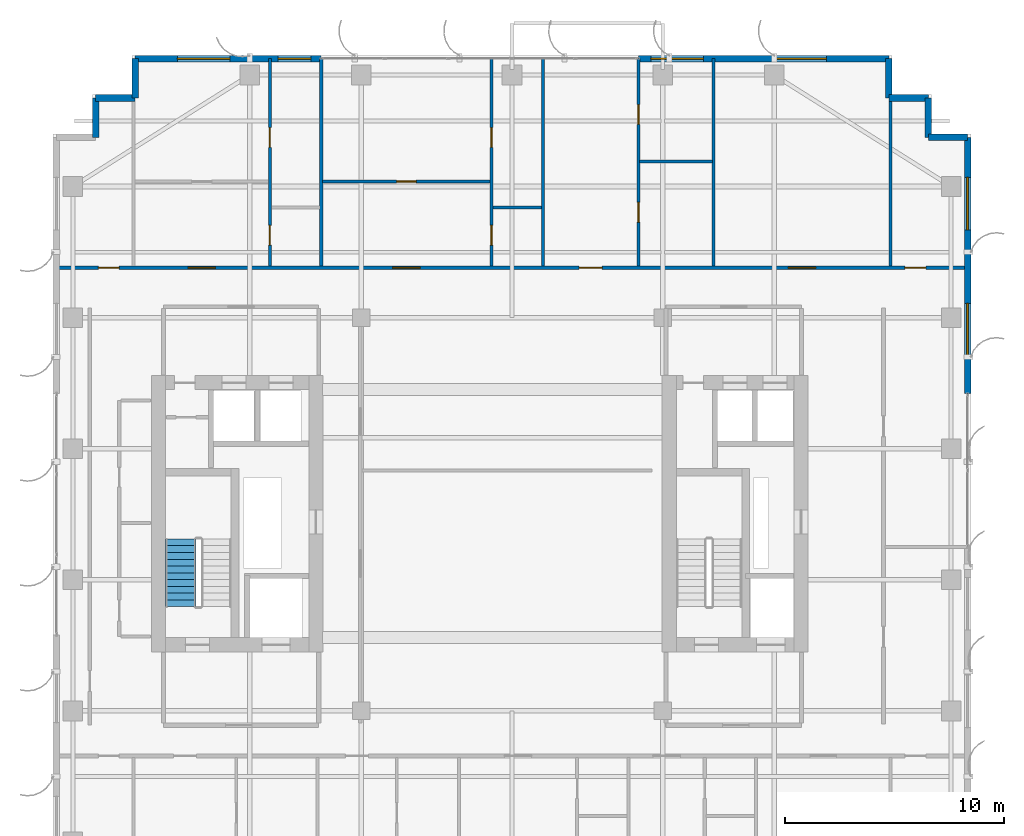
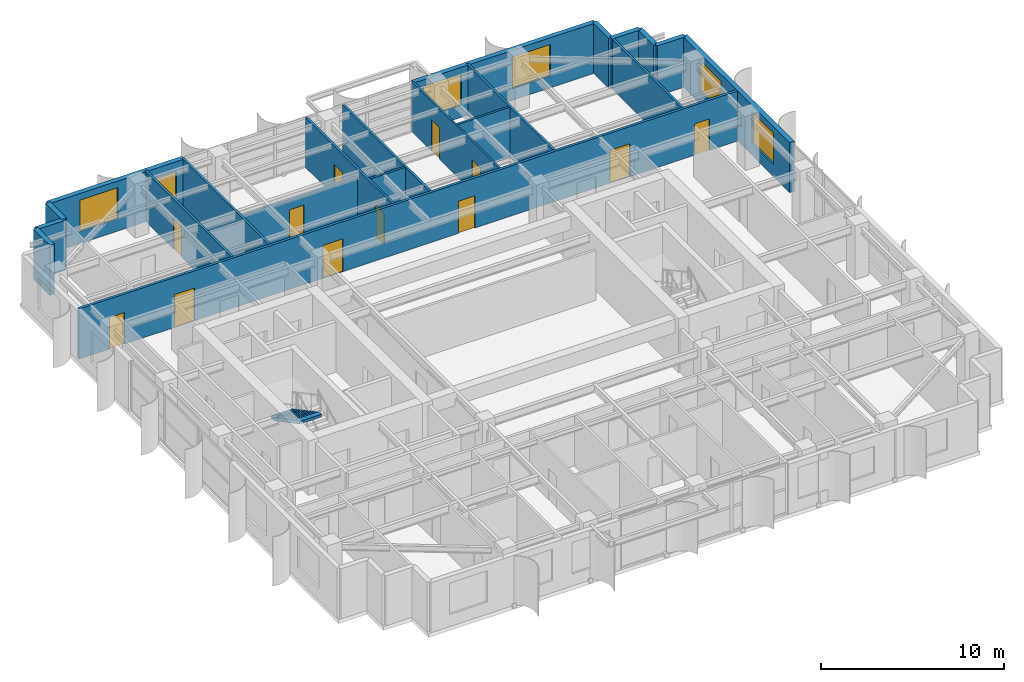
# One storey, part 19 of 23: 21 walls, 13 doors, 6 windows, 1 stair flight, 19 openings, 1 element without a shape of its own.
"""IFC4 building model written with IfcOpenShell, lengths in metres."""

from ifc_helpers import new_model, si_unit, direction, frame, frame_2d, origin, place, context, subcontext, project, spatial, polyline, rectangle, outline, extrude, source, transform, mapped, material, layer, layer_set, type_object, element, fill, aggregate, save


model = new_model("IFC4")

# Units and contexts
model_context = context("Model", 3, precision=1e-05, world=origin(), true_north=direction((0.0, 1.0)))
body_context = subcontext(model_context, "Body", "Model", "MODEL_VIEW")
ifc_project = project(units=[si_unit("LENGTHUNIT", "METRE"), si_unit("AREAUNIT", "SQUARE_METRE"), si_unit("VOLUMEUNIT", "CUBIC_METRE"), si_unit("PLANEANGLEUNIT", "RADIAN"), si_unit("MASSUNIT", "GRAM", prefix="KILO")], contexts=[model_context])

# Site, building, storey
site_placement = place(None, origin())
site = spatial("IfcSite", under=ifc_project, at=site_placement, CompositionType="ELEMENT")
building_placement = place(site_placement, origin())
building = spatial("IfcBuilding", under=site, at=building_placement, Name="Khoralis Quay Care Tower", CompositionType="ELEMENT")
storey_placement = place(building_placement, frame((0.0, 0.0, 173.699951171875)))
storey = spatial("IfcBuildingStorey", under=building, at=storey_placement, Name="L45", CompositionType="ELEMENT", Elevation=173.699951171875)

# Wall, openings, doors
ifc_material_1 = material(Name="Gypsum plasterboard on acoustic metal stud")
ifc_layer_1 = layer(ifc_material_1, 0.1650390625)
ifc_layer_set_1 = layer_set([ifc_layer_1], Name="Gypsum plasterboard on acoustic metal stud")
wall_type_1 = type_object("IfcWallType", Name="WL-CORR-165", PredefinedType="PARTITIONING", material=ifc_layer_set_1)
wall_1_placement = place(storey_placement, frame((3.14501953125, 32.280029296875, 0.0), z_axis=(0.0, 0.0, 1.0), x_axis=(1.0, 0.0, 0.0)))
wall_1 = element("IfcWall", 1, at=wall_1_placement, inside=storey, type_object=wall_type_1, Name="L45 North Main Corridor Wall", PredefinedType="PARTITIONING", context=body_context, shape_type="SweptSolid", body=[
    extrude(rectangle(XDim=41.7099609375, YDim=0.1650390625, at=frame_2d((20.85498046875, 0.0))), origin(), (0.0, 0.0, 1.0), 3.340087890625),
])
opening_1_placement = place(wall_1_placement, frame((6.030029296875, 0.0, 0.0)))
opening_1 = element("IfcOpeningElement", 2, at=opening_1_placement, cuts=wall_1, Name="Opening CD1", PredefinedType="OPENING", context=body_context, shape_type="SweptSolid", body=[
    extrude(rectangle(XDim=1.25, YDim=2.199951171875, at=frame_2d((0.625, 1.10009765625))), frame((0.0, 0.092529296875, 0.0), z_axis=(0.0, -1.0, 0.0), x_axis=(1.0, 0.0, 0.0)), (0.0, 0.0, 1.0), 0.18505859375),
])
opening_2_placement = place(wall_1_placement, frame((15.39501953125, 0.0, 0.0)))
opening_2 = element("IfcOpeningElement", 3, at=opening_2_placement, cuts=wall_1, Name="Opening CD1", PredefinedType="OPENING", context=body_context, shape_type="SweptSolid", body=[
    extrude(rectangle(XDim=1.25, YDim=2.199951171875, at=frame_2d((0.625, 1.10009765625))), frame((0.0, 0.092529296875, 0.0), z_axis=(0.0, -1.0, 0.0), x_axis=(1.0, 0.0, 0.0)), (0.0, 0.0, 1.0), 0.18505859375),
])
opening_3_placement = place(wall_1_placement, frame((23.929443359375, 0.0, 0.0)))
opening_3 = element("IfcOpeningElement", 4, at=opening_3_placement, cuts=wall_1, Name="Opening UD1", PredefinedType="OPENING", context=body_context, shape_type="SweptSolid", body=[
    extrude(rectangle(XDim=1.050048828125, YDim=2.14990234375, at=frame_2d((0.52490234375, 1.074951171875))), frame((0.0, 0.092529296875, 0.0), z_axis=(0.0, -1.0, 0.0), x_axis=(1.0, 0.0, 0.0)), (0.0, 0.0, 1.0), 0.18505859375),
])
opening_4_placement = place(wall_1_placement, frame((33.5048828125, 0.0, 0.0)))
opening_4 = element("IfcOpeningElement", 5, at=opening_4_placement, cuts=wall_1, Name="Opening CD1", PredefinedType="OPENING", context=body_context, shape_type="SweptSolid", body=[
    extrude(rectangle(XDim=1.25, YDim=2.199951171875, at=frame_2d((0.625, 1.10009765625))), frame((0.0, 0.092529296875, 0.0), z_axis=(0.0, -1.0, 0.0), x_axis=(1.0, 0.0, 0.0)), (0.0, 0.0, 1.0), 0.18505859375),
])
opening_5_placement = place(wall_1_placement, frame((1.919921875, 0.0, 0.0)))
opening_5 = element("IfcOpeningElement", 6, at=opening_5_placement, cuts=wall_1, Name="Opening ID1", PredefinedType="OPENING", context=body_context, shape_type="SweptSolid", body=[
    extrude(rectangle(XDim=0.949951171875, YDim=2.10009765625, at=frame_2d((0.47509765625, 1.050048828125))), frame((0.0, 0.092529296875, 0.0), z_axis=(0.0, -1.0, 0.0), x_axis=(1.0, 0.0, 0.0)), (0.0, 0.0, 1.0), 0.18505859375),
])
opening_6_placement = place(wall_1_placement, frame((38.840087890625, 0.0, 0.0)))
opening_6 = element("IfcOpeningElement", 7, at=opening_6_placement, cuts=wall_1, Name="Opening ID1", PredefinedType="OPENING", context=body_context, shape_type="SweptSolid", body=[
    extrude(rectangle(XDim=0.949951171875, YDim=2.10009765625, at=frame_2d((0.47509765625, 1.050048828125))), frame((0.0, 0.092529296875, 0.0), z_axis=(0.0, -1.0, 0.0), x_axis=(1.0, 0.0, 0.0)), (0.0, 0.0, 1.0), 0.18505859375),
])
ifc_material_2 = material(Name="Acoustic hardwood timber", Category="wood")
door_type_1 = type_object("IfcDoorType", Name="DR-CARE-1250X2200", OperationType="NOTDEFINED", PredefinedType="DOOR", material=ifc_material_2)
shared_shape_1 = source(origin(), body_context, "Body", "SweptSolid", [
    extrude(rectangle(XDim=1.25, YDim=2.199951171875, at=frame_2d((0.625, 1.10009765625))), frame((0.0, 0.02490234375, 0.0), z_axis=(0.0, -1.0, 0.0), x_axis=(1.0, 0.0, 0.0)), (0.0, 0.0, 1.0), 0.050048828125),
])
door_1_placement = place(opening_1_placement, origin())
door_1 = element("IfcDoor", 8, at=door_1_placement, inside=storey, type_object=door_type_1, Name="L45 Care Suite NB0 Clinical Door", OperationType="SINGLE_SWING_LEFT", OverallHeight=2.199951171875, OverallWidth=1.25, PredefinedType="DOOR", context=body_context, shape_type="MappedRepresentation", body=[
    mapped(shared_shape_1, transform((0.0, 0.0, 0.0), scale=1.0)),
])
fill(opening_1, door_1)
door_2_placement = place(opening_2_placement, origin())
door_2 = element("IfcDoor", 9, at=door_2_placement, inside=storey, type_object=door_type_1, Name="L45 Care Suite NB1 Clinical Door", OperationType="SINGLE_SWING_RIGHT", OverallHeight=2.199951171875, OverallWidth=1.25, PredefinedType="DOOR", context=body_context, shape_type="MappedRepresentation", body=[
    mapped(shared_shape_1, transform((0.0, 0.0, 0.0), scale=1.0)),
])
fill(opening_2, door_2)
door_3_placement = place(opening_4_placement, origin())
door_3 = element("IfcDoor", 10, at=door_3_placement, inside=storey, type_object=door_type_1, Name="L45 Physiotherapy Treatment Clinic Door", OperationType="SINGLE_SWING_RIGHT", OverallHeight=2.199951171875, OverallWidth=1.25, PredefinedType="DOOR", context=body_context, shape_type="MappedRepresentation", body=[
    mapped(shared_shape_1, transform((0.0, 0.0, 0.0), scale=1.0)),
])
fill(opening_4, door_3)
door_type_2 = type_object("IfcDoorType", Name="DR-ROOM-950X2100", OperationType="NOTDEFINED", PredefinedType="DOOR", material=ifc_material_2)
shared_shape_2 = source(origin(), body_context, "Body", "SweptSolid", [
    extrude(rectangle(XDim=0.949951171875, YDim=2.10009765625, at=frame_2d((0.47509765625, 1.050048828125))), frame((0.0, 0.02490234375, 0.0), z_axis=(0.0, -1.0, 0.0), x_axis=(1.0, 0.0, 0.0)), (0.0, 0.0, 1.0), 0.050048828125),
])
door_4_placement = place(opening_5_placement, origin())
door_4 = element("IfcDoor", 11, at=door_4_placement, inside=storey, type_object=door_type_2, Name="L45 NW Corner Door", OperationType="SINGLE_SWING_RIGHT", OverallHeight=2.10009765625, OverallWidth=0.949951171875, PredefinedType="DOOR", context=body_context, shape_type="MappedRepresentation", body=[
    mapped(shared_shape_2, transform((0.0, 0.0, 0.0), scale=1.0)),
])
fill(opening_5, door_4)
door_5_placement = place(opening_6_placement, origin())
door_5 = element("IfcDoor", 12, at=door_5_placement, inside=storey, type_object=door_type_2, Name="L45 NE Corner Door", OperationType="SINGLE_SWING_LEFT", OverallHeight=2.10009765625, OverallWidth=0.949951171875, PredefinedType="DOOR", context=body_context, shape_type="MappedRepresentation", body=[
    mapped(shared_shape_2, transform((0.0, 0.0, 0.0), scale=1.0)),
])
fill(opening_6, door_5)
door_type_3 = type_object("IfcDoorType", Name="DR-SUITE-1050X2150", OperationType="NOTDEFINED", PredefinedType="DOOR", material=ifc_material_2)
shared_shape_3 = source(origin(), body_context, "Body", "SweptSolid", [
    extrude(rectangle(XDim=1.050048828125, YDim=2.14990234375, at=frame_2d((0.52490234375, 1.074951171875))), frame((0.0, 0.02490234375, 0.0), z_axis=(0.0, -1.0, 0.0), x_axis=(1.0, 0.0, 0.0)), (0.0, 0.0, 1.0), 0.050048828125),
])
door_6_placement = place(opening_3_placement, origin())
door_6 = element("IfcDoor", 13, at=door_6_placement, inside=storey, type_object=door_type_3, Name="L45 Studio NB2 Entrance", OperationType="SINGLE_SWING_LEFT", OverallHeight=2.14990234375, OverallWidth=1.050048828125, PredefinedType="DOOR", context=body_context, shape_type="MappedRepresentation", body=[
    mapped(shared_shape_3, transform((0.0, 0.0, 0.0), scale=1.0)),
])
fill(opening_3, door_6)

# Wall, openings, windows
ifc_material_3 = material(Name="Precast concrete C45/55", Category="concrete")
ifc_layer_2 = layer(ifc_material_3, 0.300048828125)
ifc_layer_set_2 = layer_set([ifc_layer_2], Name="Precast concrete C45/55")
wall_type_2 = type_object("IfcWallType", Name="WL-EXT-REF-300", PredefinedType="SOLIDWALL", material=ifc_layer_set_2)
wall_2_placement = place(storey_placement, frame((44.85009765625, 26.52001953125, 0.0), z_axis=(0.0, 0.0, 1.0), x_axis=(0.0, 1.0, 0.0)))
wall_2 = element("IfcWall", 14, at=wall_2_placement, inside=storey, type_object=wall_type_2, Name="L45 External Facade Wall WL-EXT-L45-P1-E5B", PredefinedType="SOLIDWALL", context=body_context, shape_type="SweptSolid", body=[
    extrude(rectangle(XDim=11.72998046875, YDim=0.300048828125, at=frame_2d((5.864990234375, 0.0))), origin(), (0.0, 0.0, 1.0), 3.340087890625),
])
opening_7_placement = place(wall_2_placement, frame((1.72998046875, 0.0, 0.800048828125)))
opening_7 = element("IfcOpeningElement", 15, at=opening_7_placement, cuts=wall_2, Name="Opening W1", PredefinedType="OPENING", context=body_context, shape_type="SweptSolid", body=[
    extrude(rectangle(XDim=2.39990234375, YDim=2.10009765625, at=frame_2d((1.199951171875, 1.050048828125))), frame((0.0, 0.16015625, 0.0), z_axis=(0.0, -1.0, 0.0), x_axis=(1.0, 0.0, 0.0)), (0.0, 0.0, 1.0), 0.320068359375),
])
opening_8_placement = place(wall_2_placement, frame((7.4951171875, 0.0, 0.800048828125)))
opening_8 = element("IfcOpeningElement", 16, at=opening_8_placement, cuts=wall_2, Name="Opening W1", PredefinedType="OPENING", context=body_context, shape_type="SweptSolid", body=[
    extrude(rectangle(XDim=2.39990234375, YDim=2.10009765625, at=frame_2d((1.199951171875, 1.050048828125))), frame((0.0, 0.16015625, 0.0), z_axis=(0.0, -1.0, 0.0), x_axis=(1.0, 0.0, 0.0)), (0.0, 0.0, 1.0), 0.320068359375),
])
ifc_material_4 = material(Name="Low-E solar-control double glazing", Category="glass")
window_type_1 = type_object("IfcWindowType", Name="WN-POD-2400X2100", PartitioningType="SINGLE_PANEL", PredefinedType="WINDOW", material=ifc_material_4)
shared_shape_4 = source(origin(), body_context, "Body", "SweptSolid", [
    extrude(rectangle(XDim=2.39990234375, YDim=2.10009765625, at=frame_2d((1.199951171875, 1.050048828125))), frame((0.0, 0.030029296875, 0.0), z_axis=(0.0, -1.0, 0.0), x_axis=(1.0, 0.0, 0.0)), (0.0, 0.0, 1.0), 0.06005859375),
])
window_1_placement = place(opening_7_placement, origin())
window_1 = element("IfcWindow", 17, at=window_1_placement, inside=storey, type_object=window_type_1, Name="WN-L45-P1-E5B Facade Window 01", OverallHeight=2.10009765625, OverallWidth=2.39990234375, PartitioningType="SINGLE_PANEL", PredefinedType="WINDOW", context=body_context, shape_type="MappedRepresentation", body=[
    mapped(shared_shape_4, transform((0.0, 0.0, 0.0), scale=1.0)),
])
fill(opening_7, window_1)
window_2_placement = place(opening_8_placement, origin())
window_2 = element("IfcWindow", 18, at=window_2_placement, inside=storey, type_object=window_type_1, Name="WN-L45-P1-E5B Facade Window 02", OverallHeight=2.10009765625, OverallWidth=2.39990234375, PartitioningType="SINGLE_PANEL", PredefinedType="WINDOW", context=body_context, shape_type="MappedRepresentation", body=[
    mapped(shared_shape_4, transform((0.0, 0.0, 0.0), scale=1.0)),
])
fill(opening_8, window_2)

# Walls
for number, where, z_axis, x_axis, name in (
    (19, (44.85009765625, 38.25, 0.0), (0.0, 0.0, 1.0), (-1.0, 0.0, 0.0), "L45 External Facade Wall WL-EXT-L45-P1-C6"),
    (20, (43.050048828125, 38.25, 0.0), (0.0, 0.0, 1.0), (0.0, 1.0, 0.0), "L45 External Facade Wall WL-EXT-L45-P1-C7"),
    (21, (43.050048828125, 40.050048828125, 0.0), (0.0, 0.0, 1.0), (-1.0, 0.0, 0.0), "L45 External Facade Wall WL-EXT-L45-P1-C8"),
    (22, (41.25, 40.050048828125, 0.0), (0.0, 0.0, 1.0), (0.0, 1.0, 0.0), "L45 External Facade Wall WL-EXT-L45-P1-C9"),
):
    element("IfcWall", number, at=place(storey_placement, frame(where, z_axis=z_axis, x_axis=x_axis)), inside=storey, type_object=wall_type_2, Name=name, PredefinedType="SOLIDWALL", context=body_context, shape_type="SweptSolid", body=[
        extrude(rectangle(XDim=1.800048828125, YDim=0.300048828125, at=frame_2d((0.89990234375, 0.0))), origin(), (0.0, 0.0, 1.0), 3.340087890625),
    ])

# Wall, openings, windows
wall_3_placement = place(storey_placement, frame((41.25, 41.85009765625, 0.0), z_axis=(0.0, 0.0, 1.0), x_axis=(-1.0, 0.0, 0.0)))
wall_3 = element("IfcWall", 23, at=wall_3_placement, inside=storey, type_object=wall_type_2, Name="L45 External Facade Wall WL-EXT-L45-P1-E10A", PredefinedType="SOLIDWALL", context=body_context, shape_type="SweptSolid", body=[
    extrude(rectangle(XDim=11.4609375, YDim=0.300048828125, at=frame_2d((5.73046875, 0.0))), origin(), (0.0, 0.0, 1.0), 3.340087890625),
])
opening_9_placement = place(wall_3_placement, frame((2.860107421875, 0.0, 0.800048828125)))
opening_9 = element("IfcOpeningElement", 24, at=opening_9_placement, cuts=wall_3, Name="Opening W1", PredefinedType="OPENING", context=body_context, shape_type="SweptSolid", body=[
    extrude(rectangle(XDim=2.39990234375, YDim=2.10009765625, at=frame_2d((1.199951171875, 1.050048828125))), frame((0.0, 0.16015625, 0.0), z_axis=(0.0, -1.0, 0.0), x_axis=(1.0, 0.0, 0.0)), (0.0, 0.0, 1.0), 0.320068359375),
])
opening_10_placement = place(wall_3_placement, frame((8.490478515625, 0.0, 0.800048828125)))
opening_10 = element("IfcOpeningElement", 25, at=opening_10_placement, cuts=wall_3, Name="Opening W1", PredefinedType="OPENING", context=body_context, shape_type="SweptSolid", body=[
    extrude(rectangle(XDim=2.39990234375, YDim=2.10009765625, at=frame_2d((1.199951171875, 1.050048828125))), frame((0.0, 0.16015625, 0.0), z_axis=(0.0, -1.0, 0.0), x_axis=(1.0, 0.0, 0.0)), (0.0, 0.0, 1.0), 0.320068359375),
])
window_3_placement = place(opening_9_placement, origin())
window_3 = element("IfcWindow", 26, at=window_3_placement, inside=storey, type_object=window_type_1, Name="WN-L45-P1-E10A Facade Window 01", OverallHeight=2.10009765625, OverallWidth=2.39990234375, PartitioningType="SINGLE_PANEL", PredefinedType="WINDOW", context=body_context, shape_type="MappedRepresentation", body=[
    mapped(shared_shape_4, transform((0.0, 0.0, 0.0), scale=1.0)),
])
fill(opening_9, window_3)
window_4_placement = place(opening_10_placement, origin())
window_4 = element("IfcWindow", 27, at=window_4_placement, inside=storey, type_object=window_type_1, Name="WN-L45-P1-E10A Facade Window 02", OverallHeight=2.10009765625, OverallWidth=2.39990234375, PartitioningType="SINGLE_PANEL", PredefinedType="WINDOW", context=body_context, shape_type="MappedRepresentation", body=[
    mapped(shared_shape_4, transform((0.0, 0.0, 0.0), scale=1.0)),
])
fill(opening_10, window_4)

wall_4_placement = place(storey_placement, frame((15.27001953125, 41.85009765625, 0.0), z_axis=(0.0, 0.0, 1.0), x_axis=(-1.0, 0.0, 0.0)))
wall_4 = element("IfcWall", 28, at=wall_4_placement, inside=storey, type_object=wall_type_2, Name="L45 External Facade Wall WL-EXT-L45-P1-E10B", PredefinedType="SOLIDWALL", context=body_context, shape_type="SweptSolid", body=[
    extrude(rectangle(XDim=8.52001953125, YDim=0.300048828125, at=frame_2d((4.260009765625, 0.0))), origin(), (0.0, 0.0, 1.0), 3.340087890625),
])
opening_11_placement = place(wall_4_placement, frame((0.47509765625, 0.0, 0.85009765625)))
opening_11 = element("IfcOpeningElement", 29, at=opening_11_placement, cuts=wall_4, Name="Opening W3", PredefinedType="OPENING", context=body_context, shape_type="SweptSolid", body=[
    extrude(rectangle(XDim=1.5, YDim=1.800048828125, at=frame_2d((0.75, 0.89990234375))), frame((0.0, 0.16015625, 0.0), z_axis=(0.0, -1.0, 0.0), x_axis=(1.0, 0.0, 0.0)), (0.0, 0.0, 1.0), 0.320068359375),
])
opening_12_placement = place(wall_4_placement, frame((4.18505859375, 0.0, 0.800048828125)))
opening_12 = element("IfcOpeningElement", 30, at=opening_12_placement, cuts=wall_4, Name="Opening W1", PredefinedType="OPENING", context=body_context, shape_type="SweptSolid", body=[
    extrude(rectangle(XDim=2.39990234375, YDim=2.10009765625, at=frame_2d((1.199951171875, 1.050048828125))), frame((0.0, 0.16015625, 0.0), z_axis=(0.0, -1.0, 0.0), x_axis=(1.0, 0.0, 0.0)), (0.0, 0.0, 1.0), 0.320068359375),
])
window_type_2 = type_object("IfcWindowType", Name="WN-CLIN-1500X1800", PartitioningType="SINGLE_PANEL", PredefinedType="WINDOW", material=ifc_material_4)
shared_shape_5 = source(origin(), body_context, "Body", "SweptSolid", [
    extrude(rectangle(XDim=1.5, YDim=1.800048828125, at=frame_2d((0.75, 0.89990234375))), frame((0.0, 0.030029296875, 0.0), z_axis=(0.0, -1.0, 0.0), x_axis=(1.0, 0.0, 0.0)), (0.0, 0.0, 1.0), 0.06005859375),
])
window_5_placement = place(opening_11_placement, origin())
window_5 = element("IfcWindow", 31, at=window_5_placement, inside=storey, type_object=window_type_2, Name="WN-L45-P1-E10B Facade Window 01", OverallHeight=1.800048828125, OverallWidth=1.5, PartitioningType="SINGLE_PANEL", PredefinedType="WINDOW", context=body_context, shape_type="MappedRepresentation", body=[
    mapped(shared_shape_5, transform((0.0, 0.0, 0.0), scale=1.0)),
])
fill(opening_11, window_5)
window_6_placement = place(opening_12_placement, origin())
window_6 = element("IfcWindow", 32, at=window_6_placement, inside=storey, type_object=window_type_1, Name="WN-L45-P1-E10B Facade Window 02", OverallHeight=2.10009765625, OverallWidth=2.39990234375, PartitioningType="SINGLE_PANEL", PredefinedType="WINDOW", context=body_context, shape_type="MappedRepresentation", body=[
    mapped(shared_shape_4, transform((0.0, 0.0, 0.0), scale=1.0)),
])
fill(opening_12, window_6)

# Walls
for number, where, z_axis, x_axis, name in (
    (33, (6.75, 41.85009765625, 0.0), (0.0, 0.0, 1.0), (0.0, -1.0, 0.0), "L45 External Facade Wall WL-EXT-L45-P1-C11"),
    (34, (6.75, 40.050048828125, 0.0), (0.0, 0.0, 1.0), (-1.0, 0.0, 0.0), "L45 External Facade Wall WL-EXT-L45-P1-C12"),
    (35, (4.949951171875, 40.050048828125, 0.0), (0.0, 0.0, 1.0), (0.0, -1.0, 0.0), "L45 External Facade Wall WL-EXT-L45-P1-C13"),
):
    element("IfcWall", number, at=place(storey_placement, frame(where, z_axis=z_axis, x_axis=x_axis)), inside=storey, type_object=wall_type_2, Name=name, PredefinedType="SOLIDWALL", context=body_context, shape_type="SweptSolid", body=[
        extrude(rectangle(XDim=1.800048828125, YDim=0.300048828125, at=frame_2d((0.89990234375, 0.0))), origin(), (0.0, 0.0, 1.0), 3.340087890625),
    ])

# Wall, openings, doors
ifc_layer_3 = layer(ifc_material_1, 0.114990234375)
ifc_layer_set_3 = layer_set([ifc_layer_3], Name="Gypsum plasterboard on acoustic metal stud")
wall_type_3 = type_object("IfcWallType", Name="WL-PART-115", PredefinedType="PARTITIONING", material=ifc_layer_set_3)
wall_5_placement = place(storey_placement, frame((29.7890625, 32.357421875, 0.0), z_axis=(0.0, 0.0, 1.0), x_axis=(0.0, 1.0, 0.0)))
wall_5 = element("IfcWall", 36, at=wall_5_placement, inside=storey, type_object=wall_type_3, Name="L45 Studio 2 Internal Wall", PredefinedType="PARTITIONING", context=body_context, shape_type="SweptSolid", body=[
    extrude(rectangle(XDim=9.49755859375, YDim=0.114990234375, at=frame_2d((4.748779296875, 0.0))), origin(), (0.0, 0.0, 1.0), 3.340087890625),
])
opening_13_placement = place(wall_5_placement, frame((6.487548828125, 0.0, 0.0)))
opening_13 = element("IfcOpeningElement", 37, at=opening_13_placement, cuts=wall_5, Name="Opening WD1", PredefinedType="OPENING", context=body_context, shape_type="SweptSolid", body=[
    extrude(rectangle(XDim=0.89990234375, YDim=2.10009765625, at=frame_2d((0.449951171875, 1.050048828125))), frame((0.0, 0.0673828125, 0.0), z_axis=(0.0, -1.0, 0.0), x_axis=(1.0, 0.0, 0.0)), (0.0, 0.0, 1.0), 0.135009765625),
])
opening_14_placement = place(wall_5_placement, frame((2.017578125, 0.0, 0.0)))
opening_14 = element("IfcOpeningElement", 38, at=opening_14_placement, cuts=wall_5, Name="Opening WD1", PredefinedType="OPENING", context=body_context, shape_type="SweptSolid", body=[
    extrude(rectangle(XDim=0.89990234375, YDim=2.10009765625, at=frame_2d((0.449951171875, 1.050048828125))), frame((0.0, 0.0673828125, 0.0), z_axis=(0.0, -1.0, 0.0), x_axis=(1.0, 0.0, 0.0)), (0.0, 0.0, 1.0), 0.135009765625),
])
door_type_4 = type_object("IfcDoorType", Name="DR-BATH-900X2100", OperationType="NOTDEFINED", PredefinedType="DOOR", material=ifc_material_2)
shared_shape_6 = source(origin(), body_context, "Body", "SweptSolid", [
    extrude(rectangle(XDim=0.89990234375, YDim=2.10009765625, at=frame_2d((0.449951171875, 1.050048828125))), frame((0.0, 0.02490234375, 0.0), z_axis=(0.0, -1.0, 0.0), x_axis=(1.0, 0.0, 0.0)), (0.0, 0.0, 1.0), 0.050048828125),
])
door_7_placement = place(opening_13_placement, frame((0.89990234375, 0.0, 0.0), z_axis=(0.0, 0.0, 1.0), x_axis=(-1.0, 0.0, 0.0)))
door_7 = element("IfcDoor", 39, at=door_7_placement, inside=storey, type_object=door_type_4, Name="L45 Studio SKT Door", OperationType="SINGLE_SWING_RIGHT", OverallHeight=2.10009765625, OverallWidth=0.89990234375, PredefinedType="DOOR", context=body_context, shape_type="MappedRepresentation", body=[
    mapped(shared_shape_6, transform((0.0, 0.0, 0.0), scale=1.0)),
])
fill(opening_13, door_7)
door_8_placement = place(opening_14_placement, frame((0.89990234375, 0.0, 0.0), z_axis=(0.0, 0.0, 1.0), x_axis=(-1.0, 0.0, 0.0)))
door_8 = element("IfcDoor", 40, at=door_8_placement, inside=storey, type_object=door_type_4, Name="L45 Studio SBH Door", OperationType="SINGLE_SWING_LEFT", OverallHeight=2.10009765625, OverallWidth=0.89990234375, PredefinedType="DOOR", context=body_context, shape_type="MappedRepresentation", body=[
    mapped(shared_shape_6, transform((0.0, 0.0, 0.0), scale=1.0)),
])
fill(opening_14, door_8)

ifc_material_5 = material(Name="Moisture-resistant gypsum and ceramic tile")
ifc_layer_4 = layer(ifc_material_5, 0.280029296875)
ifc_layer_set_4 = layer_set([ifc_layer_4], Name="Moisture-resistant gypsum and ceramic tile")
wall_type_4 = type_object("IfcWallType", Name="WL-PLUMB-280", PredefinedType="PLUMBINGWALL", material=ifc_layer_set_4)
wall_6_placement = place(storey_placement, frame((12.919921875, 32.357421875, 0.0), z_axis=(0.0, 0.0, 1.0), x_axis=(0.0, 1.0, 0.0)))
wall_6 = element("IfcWall", 41, at=wall_6_placement, inside=storey, type_object=wall_type_4, Name="L45 Care Suite 0 En-Suite Wall V", PredefinedType="PLUMBINGWALL", context=body_context, shape_type="SweptSolid", body=[
    extrude(rectangle(XDim=9.49755859375, YDim=0.139892578125, at=frame_2d((4.748779296875, 0.0))), origin(), (0.0, 0.0, 1.0), 3.340087890625),
])
opening_15_placement = place(wall_6_placement, frame((0.96240234375, 0.0, 0.0)))
opening_15 = element("IfcOpeningElement", 42, at=opening_15_placement, cuts=wall_6, Name="Opening WD1", PredefinedType="OPENING", context=body_context, shape_type="SweptSolid", body=[
    extrude(rectangle(XDim=0.89990234375, YDim=2.10009765625, at=frame_2d((0.449951171875, 1.050048828125))), frame((0.0, 0.080078125, 0.0), z_axis=(0.0, -1.0, 0.0), x_axis=(1.0, 0.0, 0.0)), (0.0, 0.0, 1.0), 0.159912109375),
])
opening_16_placement = place(wall_6_placement, frame((5.4326171875, 0.0, 0.0)))
opening_16 = element("IfcOpeningElement", 43, at=opening_16_placement, cuts=wall_6, Name="Opening WD1", PredefinedType="OPENING", context=body_context, shape_type="SweptSolid", body=[
    extrude(rectangle(XDim=0.89990234375, YDim=2.10009765625, at=frame_2d((0.449951171875, 1.050048828125))), frame((0.0, 0.080078125, 0.0), z_axis=(0.0, -1.0, 0.0), x_axis=(1.0, 0.0, 0.0)), (0.0, 0.0, 1.0), 0.159912109375),
])
door_9_placement = place(opening_15_placement, frame((0.89990234375, 0.0, 0.0), z_axis=(0.0, 0.0, 1.0), x_axis=(-1.0, 0.0, 0.0)))
door_9 = element("IfcDoor", 44, at=door_9_placement, inside=storey, type_object=door_type_4, Name="L45 Care CENS Door", OperationType="SINGLE_SWING_RIGHT", OverallHeight=2.10009765625, OverallWidth=0.89990234375, PredefinedType="DOOR", context=body_context, shape_type="MappedRepresentation", body=[
    mapped(shared_shape_6, transform((0.0, 0.0, 0.0), scale=1.0)),
])
fill(opening_15, door_9)
door_10_placement = place(opening_16_placement, frame((0.89990234375, 0.0, 0.0), z_axis=(0.0, 0.0, 1.0), x_axis=(-1.0, 0.0, 0.0)))
door_10 = element("IfcDoor", 45, at=door_10_placement, inside=storey, type_object=door_type_4, Name="L45 Care CSIT Door", OperationType="SINGLE_SWING_LEFT", OverallHeight=2.10009765625, OverallWidth=0.89990234375, PredefinedType="DOOR", context=body_context, shape_type="MappedRepresentation", body=[
    mapped(shared_shape_6, transform((0.0, 0.0, 0.0), scale=1.0)),
])
fill(opening_16, door_10)

wall_7_placement = place(storey_placement, frame((23.06005859375, 32.357421875, 0.0), z_axis=(0.0, 0.0, 1.0), x_axis=(0.0, 1.0, 0.0)))
wall_7 = element("IfcWall", 46, at=wall_7_placement, inside=storey, type_object=wall_type_4, Name="L45 Care Suite 1 En-Suite Wall V", PredefinedType="PLUMBINGWALL", context=body_context, shape_type="SweptSolid", body=[
    extrude(rectangle(XDim=9.49755859375, YDim=0.139892578125, at=frame_2d((4.748779296875, 0.0))), origin(), (0.0, 0.0, 1.0), 3.340087890625),
])
opening_17_placement = place(wall_7_placement, frame((0.96240234375, 0.0, 0.0)))
opening_17 = element("IfcOpeningElement", 47, at=opening_17_placement, cuts=wall_7, Name="Opening WD1", PredefinedType="OPENING", context=body_context, shape_type="SweptSolid", body=[
    extrude(rectangle(XDim=0.89990234375, YDim=2.10009765625, at=frame_2d((0.449951171875, 1.050048828125))), frame((0.0, 0.080078125, 0.0), z_axis=(0.0, -1.0, 0.0), x_axis=(1.0, 0.0, 0.0)), (0.0, 0.0, 1.0), 0.159912109375),
])
opening_18_placement = place(wall_7_placement, frame((5.4326171875, 0.0, 0.0)))
opening_18 = element("IfcOpeningElement", 48, at=opening_18_placement, cuts=wall_7, Name="Opening WD1", PredefinedType="OPENING", context=body_context, shape_type="SweptSolid", body=[
    extrude(rectangle(XDim=0.89990234375, YDim=2.10009765625, at=frame_2d((0.449951171875, 1.050048828125))), frame((0.0, 0.080078125, 0.0), z_axis=(0.0, -1.0, 0.0), x_axis=(1.0, 0.0, 0.0)), (0.0, 0.0, 1.0), 0.159912109375),
])
door_11_placement = place(opening_17_placement, frame((0.89990234375, 0.0, 0.0), z_axis=(0.0, 0.0, 1.0), x_axis=(-1.0, 0.0, 0.0)))
door_11 = element("IfcDoor", 49, at=door_11_placement, inside=storey, type_object=door_type_4, Name="L45 Care CENS Door", OperationType="SINGLE_SWING_LEFT", OverallHeight=2.10009765625, OverallWidth=0.89990234375, PredefinedType="DOOR", context=body_context, shape_type="MappedRepresentation", body=[
    mapped(shared_shape_6, transform((0.0, 0.0, 0.0), scale=1.0)),
])
fill(opening_17, door_11)
door_12_placement = place(opening_18_placement, frame((0.89990234375, 0.0, 0.0), z_axis=(0.0, 0.0, 1.0), x_axis=(-1.0, 0.0, 0.0)))
door_12 = element("IfcDoor", 50, at=door_12_placement, inside=storey, type_object=door_type_4, Name="L45 Care CSIT Door", OperationType="SINGLE_SWING_RIGHT", OverallHeight=2.10009765625, OverallWidth=0.89990234375, PredefinedType="DOOR", context=body_context, shape_type="MappedRepresentation", body=[
    mapped(shared_shape_6, transform((0.0, 0.0, 0.0), scale=1.0)),
])
fill(opening_18, door_12)

# Walls
wall_8_placement = place(storey_placement, frame((23.125, 35.030029296875, 0.0), z_axis=(0.0, 0.0, 1.0), x_axis=(1.0, 0.0, 0.0)))
element("IfcWall", 51, at=wall_8_placement, inside=storey, type_object=wall_type_4, Name="L45 Care Suite 1 En-Suite Wall H", PredefinedType="PLUMBINGWALL", context=body_context, shape_type="SweptSolid", body=[
    extrude(rectangle(XDim=2.219970703125, YDim=0.139892578125, at=frame_2d((1.10986328125, 0.0))), origin(), (0.0, 0.0, 1.0), 3.340087890625),
])
wall_9_placement = place(storey_placement, frame((29.841552734375, 37.139892578125, 0.0), z_axis=(0.0, 0.0, 1.0), x_axis=(1.0, 0.0, 0.0)))
element("IfcWall", 52, at=wall_9_placement, inside=storey, type_object=wall_type_4, Name="L45 Studio 2 Wet Split", PredefinedType="PLUMBINGWALL", context=body_context, shape_type="SweptSolid", body=[
    extrude(rectangle(XDim=3.323486328125, YDim=0.139892578125, at=frame_2d((1.66162109375, 0.0))), origin(), (0.0, 0.0, 1.0), 3.340087890625),
])
ifc_layer_5 = layer(ifc_material_1, 0.139892578125)
ifc_layer_set_5 = layer_set([ifc_layer_5], Name="Gypsum plasterboard on acoustic metal stud")
wall_type_5 = type_object("IfcWallType", Name="WL-UNIT-140", PredefinedType="PARTITIONING", material=ifc_layer_set_5)
for number, where, z_axis, x_axis, name in (
    (53, (15.27001953125, 32.357421875, 0.0), (0.0, 0.0, 1.0), (0.0, 1.0, 0.0), "L45 NB Demising Wall 1"),
    (54, (25.409912109375, 32.357421875, 0.0), (0.0, 0.0, 1.0), (0.0, 1.0, 0.0), "L45 NB Demising Wall 2"),
    (55, (33.22998046875, 32.357421875, 0.0), (0.0, 0.0, 1.0), (0.0, 1.0, 0.0), "L45 NB Demising Wall 3"),
):
    element("IfcWall", number, at=place(storey_placement, frame(where, z_axis=z_axis, x_axis=x_axis)), inside=storey, type_object=wall_type_5, Name=name, PredefinedType="PARTITIONING", context=body_context, shape_type="SweptSolid", body=[
        extrude(rectangle(XDim=9.49755859375, YDim=0.139892578125, at=frame_2d((4.748779296875, 0.0))), origin(), (0.0, 0.0, 1.0), 3.340087890625),
    ])
wall_10_placement = place(storey_placement, frame((41.320068359375, 32.357421875, 0.0), z_axis=(0.0, 0.0, 1.0), x_axis=(0.0, 1.0, 0.0)))
element("IfcWall", 56, at=wall_10_placement, inside=storey, type_object=wall_type_5, Name="L45 NB Demising Wall 4", PredefinedType="PARTITIONING", context=body_context, shape_type="SweptSolid", body=[
    extrude(rectangle(XDim=7.697509765625, YDim=0.139892578125, at=frame_2d((3.8486328125, 0.0))), origin(), (0.0, 0.0, 1.0), 3.340087890625),
])

# Wall, opening, door
wall_11_placement = place(storey_placement, frame((15.3349609375, 36.22998046875, 0.0), z_axis=(0.0, 0.0, 1.0), x_axis=(1.0, 0.0, 0.0)))
wall_11 = element("IfcWall", 57, at=wall_11_placement, inside=storey, type_object=wall_type_5, Name="Skilled Care Bedroom L45-NB1 Sub-Partition", PredefinedType="PARTITIONING", context=body_context, shape_type="SweptSolid", body=[
    extrude(rectangle(XDim=7.66015625, YDim=0.139892578125, at=frame_2d((3.830078125, 0.0))), origin(), (0.0, 0.0, 1.0), 2.80712890625),
])
opening_19_placement = place(wall_11_placement, frame((3.3798828125, 0.0, 0.0)))
opening_19 = element("IfcOpeningElement", 58, at=opening_19_placement, cuts=wall_11, Name="Opening WD1", PredefinedType="OPENING", context=body_context, shape_type="SweptSolid", body=[
    extrude(rectangle(XDim=0.89990234375, YDim=2.10009765625, at=frame_2d((0.449951171875, 1.050048828125))), frame((0.0, 0.080078125, 0.0), z_axis=(0.0, -1.0, 0.0), x_axis=(1.0, 0.0, 0.0)), (0.0, 0.0, 1.0), 0.159912109375),
])
door_13_placement = place(opening_19_placement, frame((0.89990234375, 0.0, 0.0), z_axis=(0.0, 0.0, 1.0), x_axis=(-1.0, 0.0, 0.0)))
door_13 = element("IfcDoor", 59, at=door_13_placement, inside=storey, type_object=door_type_4, Name="Private Study & Reading Alcove ARE1 Door", OperationType="SINGLE_SWING_LEFT", OverallHeight=2.10009765625, OverallWidth=0.89990234375, PredefinedType="DOOR", context=body_context, shape_type="MappedRepresentation", body=[
    mapped(shared_shape_6, transform((0.0, 0.0, 0.0), scale=1.0)),
])
fill(opening_19, door_13)

# Stair, stair flight
stair_type = type_object("IfcStairType", Name="ST-TWR-DOGLEG-1400", PredefinedType="HALF_TURN_STAIR", material=ifc_material_3)
stair_placement = place(storey_placement, origin())
stair = element("IfcStair", 60, at=stair_placement, inside=storey, type_object=stair_type, Name="L45 West Core Exit Stair ST-T1", PredefinedType="HALF_TURN_STAIR")
stair_flight_type = type_object("IfcStairFlightType", Name="SF-TWR-1400", PredefinedType="STRAIGHT", material=ifc_material_3)
shared_shape_7 = source(origin(), body_context, "Body", "SweptSolid", [
    extrude(outline(polyline([(0.0, 0.0), (0.0, 0.16357421875), (0.31005859375, 0.16357421875), (0.31005859375, 0.327392578125), (0.6201171875, 0.327392578125), (0.6201171875, 0.490966796875), (0.929931640625, 0.490966796875), (0.929931640625, 0.654541015625), (1.239990234375, 0.654541015625), (1.239990234375, 0.818115234375), (1.550048828125, 0.818115234375), (1.550048828125, 0.98193359375), (1.860107421875, 0.98193359375), (1.860107421875, 1.1455078125), (2.169921875, 1.1455078125), (2.169921875, 1.30908203125), (2.47998046875, 1.30908203125), (2.47998046875, 1.47265625), (2.7900390625, 1.47265625), (2.7900390625, 1.636474609375), (3.10009765625, 1.636474609375), (3.10009765625, 1.800048828125), (3.10009765625, 1.466796875), (0.321044921875, 0.0), (0.0, 0.0)])), frame((0.0, 0.68994140625, 0.0), z_axis=(0.0, -1.0, 0.0), x_axis=(1.0, 0.0, 0.0)), (0.0, 0.0, 1.0), 1.3798828125),
])
stair_flight_placement = place(storey_placement, frame((8.840087890625, 19.8701171875, 1.800048828125), z_axis=(0.0, 0.0, 1.0), x_axis=(0.0, -1.0, 0.0)))
stair_flight = element("IfcStairFlight", 61, at=stair_flight_placement, type_object=stair_flight_type, Name="ST-T1 flight 2", NumberOfRisers=11, NumberOfTreads=10, PredefinedType="STRAIGHT", RiserHeight=0.163636364, TreadLength=0.31, context=body_context, shape_type="MappedRepresentation", body=[
    mapped(shared_shape_7, transform((0.0, 0.0, 0.0), scale=1.0)),
])
aggregate(stair, [stair_flight])

save(model, "model.ifc")
